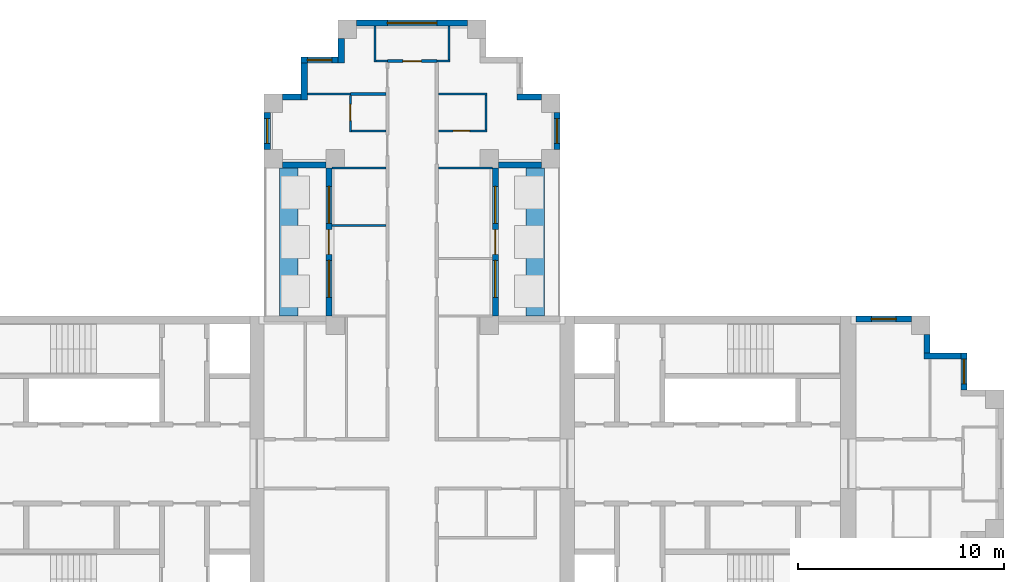
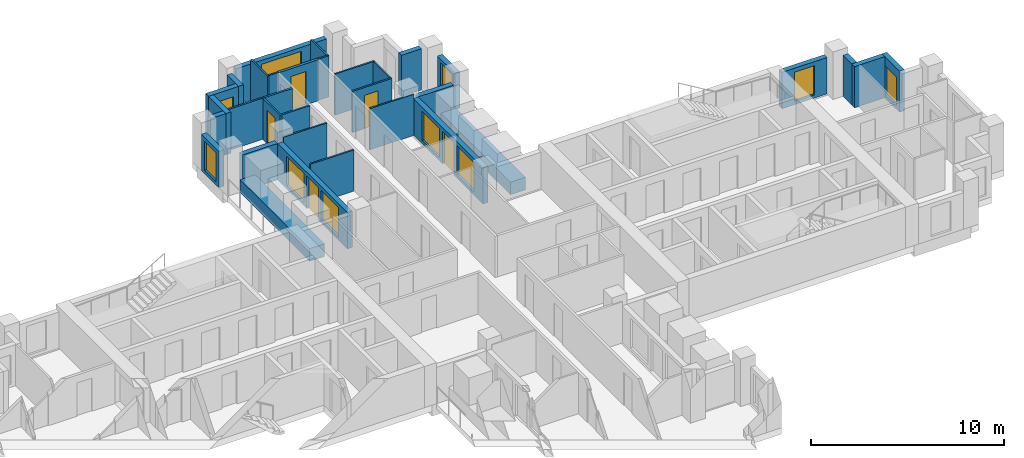
# One storey, part 7 of 10: 33 walls, 10 windows, 5 doors, 15 openings.
"""IFC4 building model written with IfcOpenShell, lengths in metres."""

from ifc_helpers import new_model, si_unit, direction, frame, frame_2d, origin, place, context, subcontext, project, spatial, rectangle, extrude, material, layer, layer_set, type_object, element, fill, save


model = new_model("IFC4")

# Units and contexts
model_context = context("Model", 3, precision=1e-05, world=origin(), true_north=direction((0.0, 1.0)))
body_context = subcontext(model_context, "Body", "Model", "MODEL_VIEW")
ifc_project = project(units=[si_unit("LENGTHUNIT", "METRE"), si_unit("AREAUNIT", "SQUARE_METRE"), si_unit("VOLUMEUNIT", "CUBIC_METRE"), si_unit("PLANEANGLEUNIT", "RADIAN"), si_unit("MASSUNIT", "GRAM", prefix="KILO")], contexts=[model_context])

# Site, building, storey
site_placement = place(None, origin())
site = spatial("IfcSite", under=ifc_project, at=site_placement, CompositionType="ELEMENT")
building_placement = place(site_placement, origin())
building = spatial("IfcBuilding", under=site, at=building_placement, Name="Fustian Cross Tower", CompositionType="ELEMENT")
storey_placement = place(building_placement, frame((0.0, 0.0, 213.89990234375)))
storey = spatial("IfcBuildingStorey", under=building, at=storey_placement, Name="L67", CompositionType="ELEMENT", Elevation=213.89990234375)

# Wall, opening, door
ifc_material_1 = material(Name="Plasterboard on steel stud", Category="steel")
ifc_layer_1 = layer(ifc_material_1, 0.14990234375)
ifc_layer_set_1 = layer_set([ifc_layer_1], Name="Plasterboard on steel stud")
wall_type_1 = type_object("IfcWallType", Name="COMPARTMENT WALL 150 EI 60", PredefinedType="PARTITIONING", material=ifc_layer_set_1)
wall_1_placement = place(storey_placement, frame((-1.199951171875, 19.60009765625, 0.0), z_axis=(0.0, 0.0, 1.0), x_axis=(1.0, 0.0, 0.0)))
wall_1 = element("IfcWall", 1, at=wall_1_placement, inside=storey, type_object=wall_type_1, Name="Partition 31", PredefinedType="PARTITIONING", context=body_context, shape_type="SweptSolid", body=[
    extrude(rectangle(XDim=2.39990234375, YDim=0.14990234375, at=frame_2d((1.199951171875, 0.0))), origin(), (0.0, 0.0, 1.0), 2.60009765625),
])
opening_1_placement = place(wall_1_placement, frame((0.75, 0.0, 0.0)))
opening_1 = element("IfcOpeningElement", 2, at=opening_1_placement, cuts=wall_1, Name="Opening D30015", PredefinedType="OPENING", context=body_context, shape_type="SweptSolid", body=[
    extrude(rectangle(XDim=0.89990234375, YDim=2.10009765625, at=frame_2d((0.449951171875, 1.050048828125))), frame((0.0, 0.0849609375, 0.0), z_axis=(0.0, -1.0, 0.0), x_axis=(1.0, 0.0, 0.0)), (0.0, 0.0, 1.0), 0.169921875),
])
ifc_material_2 = material(Name="Timber fire door set", Category="wood")
door_type_1 = type_object("IfcDoorType", Name="FIRE SWING DOOR 900 FD30S", OperationType="SINGLE_SWING_LEFT", PredefinedType="DOOR", material=ifc_material_2)
door_1_placement = place(opening_1_placement, origin())
door_1 = element("IfcDoor", 3, at=door_1_placement, inside=storey, type_object=door_type_1, Name="Door D30015", OperationType="SINGLE_SWING_LEFT", OverallHeight=2.10009765625, OverallWidth=0.89990234375, PredefinedType="DOOR", context=body_context, shape_type="SweptSolid", body=[
    extrude(rectangle(XDim=0.89990234375, YDim=2.10009765625, at=frame_2d((0.449951171875, 1.050048828125))), frame((0.0, 0.02490234375, 0.0), z_axis=(0.0, -1.0, 0.0), x_axis=(1.0, 0.0, 0.0)), (0.0, 0.0, 1.0), 0.050048828125),
])
fill(opening_1, door_1)

# Walls
ifc_material_3 = material(Name="Plasterboard on steel stud", Category="steel")
ifc_layer_2 = layer(ifc_material_3, 0.10009765625)
ifc_layer_set_2 = layer_set([ifc_layer_2], Name="Plasterboard on steel stud")
wall_type_2 = type_object("IfcWallType", Name="PARTITION 100 STUD", PredefinedType="PARTITIONING", material=ifc_layer_set_2)
wall_2_placement = place(storey_placement, frame((-5.10009765625, 18.0, 0.0), z_axis=(0.0, 0.0, 1.0), x_axis=(1.0, 0.0, 0.0)))
element("IfcWall", 4, at=wall_2_placement, inside=storey, type_object=wall_type_2, Name="Partition 13", PredefinedType="PARTITIONING", context=body_context, shape_type="SweptSolid", body=[
    extrude(rectangle(XDim=2.10009765625, YDim=0.10009765625, at=frame_2d((1.050048828125, 0.0))), origin(), (0.0, 0.0, 1.0), 2.60009765625),
])
for number, where, z_axis, x_axis, name in (
    (5, (-3.89990234375, 11.60009765625, 0.0), (0.0, 0.0, 1.0), (1.0, 0.0, 0.0), "Partition 18"),
    (6, (-3.89990234375, 14.39990234375, 0.0), (0.0, 0.0, 1.0), (1.0, 0.0, 0.0), "Partition 19"),
):
    element("IfcWall", number, at=place(storey_placement, frame(where, z_axis=z_axis, x_axis=x_axis)), inside=storey, type_object=wall_type_2, Name=name, PredefinedType="PARTITIONING", context=body_context, shape_type="SweptSolid", body=[
        extrude(rectangle(XDim=2.625, YDim=0.10009765625, at=frame_2d((1.3125, 0.0))), origin(), (0.0, 0.0, 1.0), 2.60009765625),
    ])

# Wall, opening, door
wall_3_placement = place(storey_placement, frame((-3.0, 16.14990234375, 0.0), z_axis=(0.0, 0.0, 1.0), x_axis=(0.0, 1.0, 0.0)))
wall_3 = element("IfcWall", 7, at=wall_3_placement, inside=storey, type_object=wall_type_2, Name="Partition 21", PredefinedType="PARTITIONING", context=body_context, shape_type="SweptSolid", body=[
    extrude(rectangle(XDim=1.78759765625, YDim=0.10009765625, at=frame_2d((0.893798828125, 0.0))), origin(), (0.0, 0.0, 1.0), 2.60009765625),
])
opening_2_placement = place(wall_3_placement, frame((0.550048828125, 0.0, 0.0)))
opening_2 = element("IfcOpeningElement", 8, at=opening_2_placement, cuts=wall_3, Name="Opening D30018", PredefinedType="OPENING", context=body_context, shape_type="SweptSolid", body=[
    extrude(rectangle(XDim=0.800048828125, YDim=2.10009765625, at=frame_2d((0.39990234375, 1.050048828125))), frame((0.0, 0.06005859375, 0.0), z_axis=(0.0, -1.0, 0.0), x_axis=(1.0, 0.0, 0.0)), (0.0, 0.0, 1.0), 0.1201171875),
])
ifc_material_4 = material(Name="Painted timber", Category="wood")
door_type_2 = type_object("IfcDoorType", Name="SWING DOOR 800", OperationType="SINGLE_SWING_LEFT", PredefinedType="DOOR", material=ifc_material_4)
door_2_placement = place(opening_2_placement, frame((0.800048828125, 0.0, 0.0), z_axis=(0.0, 0.0, 1.0), x_axis=(-1.0, 0.0, 0.0)))
door_2 = element("IfcDoor", 9, at=door_2_placement, inside=storey, type_object=door_type_2, Name="Door D30018", OperationType="SINGLE_SWING_LEFT", OverallHeight=2.10009765625, OverallWidth=0.800048828125, PredefinedType="DOOR", context=body_context, shape_type="SweptSolid", body=[
    extrude(rectangle(XDim=0.800048828125, YDim=2.10009765625, at=frame_2d((0.39990234375, 1.050048828125))), frame((0.0, 0.02490234375, 0.0), z_axis=(0.0, -1.0, 0.0), x_axis=(1.0, 0.0, 0.0)), (0.0, 0.0, 1.0), 0.050048828125),
])
fill(opening_2, door_2)

# Walls
wall_4_placement = place(storey_placement, frame((-2.949951171875, 16.199951171875, 0.0), z_axis=(0.0, 0.0, 1.0), x_axis=(1.0, 0.0, 0.0)))
element("IfcWall", 10, at=wall_4_placement, inside=storey, type_object=wall_type_2, Name="Partition 22", PredefinedType="PARTITIONING", context=body_context, shape_type="SweptSolid", body=[
    extrude(rectangle(XDim=1.675048828125, YDim=0.10009765625, at=frame_2d((0.83740234375, 0.0))), origin(), (0.0, 0.0, 1.0), 2.60009765625),
])
wall_5_placement = place(storey_placement, frame((-1.800048828125, 19.550048828125, 0.0), z_axis=(0.0, 0.0, 1.0), x_axis=(0.0, 1.0, 0.0)))
element("IfcWall", 11, at=wall_5_placement, inside=storey, type_object=wall_type_2, Name="Partition 26", PredefinedType="PARTITIONING", context=body_context, shape_type="SweptSolid", body=[
    extrude(rectangle(XDim=1.75, YDim=0.10009765625, at=frame_2d((0.875, 0.0))), origin(), (0.0, 0.0, 1.0), 2.60009765625),
])
wall_6_placement = place(storey_placement, frame((-1.75, 19.60009765625, 0.0), z_axis=(0.0, 0.0, 1.0), x_axis=(1.0, 0.0, 0.0)))
element("IfcWall", 12, at=wall_6_placement, inside=storey, type_object=wall_type_2, Name="Partition 27", PredefinedType="PARTITIONING", context=body_context, shape_type="SweptSolid", body=[
    extrude(rectangle(XDim=0.550048828125, YDim=0.10009765625, at=frame_2d((0.27490234375, 0.0))), origin(), (0.0, 0.0, 1.0), 2.60009765625),
])
wall_7_placement = place(storey_placement, frame((1.27490234375, 14.39990234375, 0.0), z_axis=(0.0, 0.0, 1.0), x_axis=(1.0, 0.0, 0.0)))
element("IfcWall", 13, at=wall_7_placement, inside=storey, type_object=wall_type_2, Name="Partition 42", PredefinedType="PARTITIONING", context=body_context, shape_type="SweptSolid", body=[
    extrude(rectangle(XDim=2.625, YDim=0.10009765625, at=frame_2d((1.3125, 0.0))), origin(), (0.0, 0.0, 1.0), 2.60009765625),
])

# Wall, opening, door
wall_8_placement = place(storey_placement, frame((1.27490234375, 16.199951171875, 0.0), z_axis=(0.0, 0.0, 1.0), x_axis=(1.0, 0.0, 0.0)))
wall_8 = element("IfcWall", 14, at=wall_8_placement, inside=storey, type_object=wall_type_2, Name="Partition 43", PredefinedType="PARTITIONING", context=body_context, shape_type="SweptSolid", body=[
    extrude(rectangle(XDim=2.375, YDim=0.10009765625, at=frame_2d((1.1875, 0.0))), origin(), (0.0, 0.0, 1.0), 2.60009765625),
])
opening_3_placement = place(wall_8_placement, frame((0.72509765625, 0.0, 0.0)))
opening_3 = element("IfcOpeningElement", 15, at=opening_3_placement, cuts=wall_8, Name="Opening D30023", PredefinedType="OPENING", context=body_context, shape_type="SweptSolid", body=[
    extrude(rectangle(XDim=0.800048828125, YDim=2.10009765625, at=frame_2d((0.39990234375, 1.050048828125))), frame((0.0, 0.06005859375, 0.0), z_axis=(0.0, -1.0, 0.0), x_axis=(1.0, 0.0, 0.0)), (0.0, 0.0, 1.0), 0.1201171875),
])
door_3_placement = place(opening_3_placement, origin())
door_3 = element("IfcDoor", 16, at=door_3_placement, inside=storey, type_object=door_type_2, Name="Door D30023", OperationType="SINGLE_SWING_LEFT", OverallHeight=2.10009765625, OverallWidth=0.800048828125, PredefinedType="DOOR", context=body_context, shape_type="SweptSolid", body=[
    extrude(rectangle(XDim=0.800048828125, YDim=2.10009765625, at=frame_2d((0.39990234375, 1.050048828125))), frame((0.0, 0.02490234375, 0.0), z_axis=(0.0, -1.0, 0.0), x_axis=(1.0, 0.0, 0.0)), (0.0, 0.0, 1.0), 0.050048828125),
])
fill(opening_3, door_3)

# Walls
wall_9_placement = place(storey_placement, frame((1.27490234375, 18.0, 0.0), z_axis=(0.0, 0.0, 1.0), x_axis=(1.0, 0.0, 0.0)))
element("IfcWall", 17, at=wall_9_placement, inside=storey, type_object=wall_type_2, Name="Partition 44", PredefinedType="PARTITIONING", context=body_context, shape_type="SweptSolid", body=[
    extrude(rectangle(XDim=2.375, YDim=0.10009765625, at=frame_2d((1.1875, 0.0))), origin(), (0.0, 0.0, 1.0), 2.60009765625),
])
wall_10_placement = place(storey_placement, frame((1.199951171875, 19.60009765625, 0.0), z_axis=(0.0, 0.0, 1.0), x_axis=(1.0, 0.0, 0.0)))
element("IfcWall", 18, at=wall_10_placement, inside=storey, type_object=wall_type_2, Name="Partition 45", PredefinedType="PARTITIONING", context=body_context, shape_type="SweptSolid", body=[
    extrude(rectangle(XDim=0.650146484375, YDim=0.10009765625, at=frame_2d((0.3251953125, 0.0))), origin(), (0.0, 0.0, 1.0), 2.60009765625),
])
wall_11_placement = place(storey_placement, frame((1.800048828125, 19.64990234375, 0.0), z_axis=(0.0, 0.0, 1.0), x_axis=(0.0, 1.0, 0.0)))
element("IfcWall", 19, at=wall_11_placement, inside=storey, type_object=wall_type_2, Name="Partition 47", PredefinedType="PARTITIONING", context=body_context, shape_type="SweptSolid", body=[
    extrude(rectangle(XDim=1.650146484375, YDim=0.10009765625, at=frame_2d((0.8251953125, 0.0))), origin(), (0.0, 0.0, 1.0), 2.60009765625),
])
wall_12_placement = place(storey_placement, frame((3.60009765625, 16.25, 0.0), z_axis=(0.0, 0.0, 1.0), x_axis=(0.0, 1.0, 0.0)))
element("IfcWall", 20, at=wall_12_placement, inside=storey, type_object=wall_type_2, Name="Partition 50", PredefinedType="PARTITIONING", context=body_context, shape_type="SweptSolid", body=[
    extrude(rectangle(XDim=1.699951171875, YDim=0.10009765625, at=frame_2d((0.85009765625, 0.0))), origin(), (0.0, 0.0, 1.0), 2.60009765625),
])
ifc_material_5 = material(Name="Concrete C40/50", Category="concrete")
ifc_layer_3 = layer(ifc_material_5, 0.89990234375)
ifc_layer_set_3 = layer_set([ifc_layer_3], Name="Concrete C40/50")
wall_type_3 = type_object("IfcWallType", Name="PK1 PLANTER 900", PredefinedType="PARAPET", material=ifc_layer_set_3)
for number, where, z_axis, x_axis, name in (
    (21, (6.0, 7.199951171875, 0.0), (0.0, 0.0, 1.0), (0.0, 1.0, 0.0), "PLANTER"),
    (22, (-6.0, 7.199951171875, 0.0), (0.0, 0.0, 1.0), (0.0, 1.0, 0.0), "PLANTER"),
):
    element("IfcWall", number, at=place(storey_placement, frame(where, z_axis=z_axis, x_axis=x_axis)), inside=storey, type_object=wall_type_3, Name=name, PredefinedType="PARAPET", context=body_context, shape_type="SweptSolid", body=[
        extrude(rectangle(XDim=7.199951171875, YDim=0.89990234375, at=frame_2d((3.60009765625, 0.0))), origin(), (0.0, 0.0, 1.0), 0.800048828125),
    ])
ifc_material_6 = material(Name="Plasterboard on steel stud", Category="steel")
ifc_layer_4 = layer(ifc_material_6, 0.125)
ifc_layer_set_4 = layer_set([ifc_layer_4], Name="Plasterboard on steel stud")
wall_type_4 = type_object("IfcWallType", Name="WET WALL 125 STUD", PredefinedType="PARTITIONING", material=ifc_layer_set_4)
wall_13_placement = place(storey_placement, frame((-3.0, 18.0, 0.0), z_axis=(0.0, 0.0, 1.0), x_axis=(1.0, 0.0, 0.0)))
element("IfcWall", 23, at=wall_13_placement, inside=storey, type_object=wall_type_4, Name="Partition 23", PredefinedType="PARTITIONING", context=body_context, shape_type="SweptSolid", body=[
    extrude(rectangle(XDim=1.72509765625, YDim=0.125, at=frame_2d((0.862548828125, 0.0))), origin(), (0.0, 0.0, 1.0), 2.60009765625),
])

# Wall, opening, window
ifc_material_7 = material(Name="Dark aluminium cladding on insulated backing wall", Category="aluminium")
ifc_layer_5 = layer(ifc_material_7, 0.300048828125)
ifc_layer_set_5 = layer_set([ifc_layer_5], Name="Dark aluminium cladding on insulated backing wall")
wall_type_5 = type_object("IfcWallType", Name="XW1 EXTERNAL WALL 300", PredefinedType="SOLIDWALL", material=ifc_layer_set_5)
wall_14_placement = place(storey_placement, frame((26.85009765625, 3.60009765625, 0.0), z_axis=(0.0, 0.0, 1.0), x_axis=(0.0, 1.0, 0.0)))
wall_14 = element("IfcWall", 24, at=wall_14_placement, inside=storey, type_object=wall_type_5, Name="External wall", PredefinedType="SOLIDWALL", context=body_context, shape_type="SweptSolid", body=[
    extrude(rectangle(XDim=1.7998046875, YDim=0.300048828125, at=frame_2d((0.89990234375, 0.0))), origin(), (0.0, 0.0, 1.0), 2.60009765625),
])
opening_4_placement = place(wall_14_placement, frame((0.300048828125, 0.0, 0.199951171875)))
opening_4 = element("IfcOpeningElement", 25, at=opening_4_placement, cuts=wall_14, Name="Opening WN3", PredefinedType="OPENING", context=body_context, shape_type="SweptSolid", body=[
    extrude(rectangle(XDim=1.199951171875, YDim=1.85009765625, at=frame_2d((0.60009765625, 0.925048828125))), frame((0.0, 0.159912109375, 0.0), z_axis=(0.0, -1.0, 0.0), x_axis=(1.0, 0.0, 0.0)), (0.0, 0.0, 1.0), 0.320068359375),
])
ifc_material_8 = material(Name="Dark anodised aluminium and double glazing", Category="aluminium")
window_type_1 = type_object("IfcWindowType", Name="WN3 WINDOW 1200X1850", PartitioningType="SINGLE_PANEL", PredefinedType="WINDOW", material=ifc_material_8)
window_1_placement = place(opening_4_placement, origin())
window_1 = element("IfcWindow", 26, at=window_1_placement, inside=storey, type_object=window_type_1, Name="Window", OverallHeight=1.85009765625, OverallWidth=1.199951171875, PartitioningType="SINGLE_PANEL", PredefinedType="WINDOW", context=body_context, shape_type="SweptSolid", body=[
    extrude(rectangle(XDim=1.199951171875, YDim=1.85009765625, at=frame_2d((0.60009765625, 0.925048828125))), frame((0.0, 0.030029296875, 0.0), z_axis=(0.0, -1.0, 0.0), x_axis=(1.0, 0.0, 0.0)), (0.0, 0.0, 1.0), 0.06005859375),
])
fill(opening_4, window_1)

# Walls
wall_15_placement = place(storey_placement, frame((26.699951171875, 5.25, 0.0), z_axis=(0.0, 0.0, 1.0), x_axis=(-1.0, 0.0, 0.0)))
element("IfcWall", 27, at=wall_15_placement, inside=storey, type_object=wall_type_5, Name="External wall", PredefinedType="SOLIDWALL", context=body_context, shape_type="SweptSolid", body=[
    extrude(rectangle(XDim=1.800048828125, YDim=0.300048828125, at=frame_2d((0.89990234375, 0.0))), origin(), (0.0, 0.0, 1.0), 2.60009765625),
])
wall_16_placement = place(storey_placement, frame((25.050048828125, 5.39990234375, 0.0), z_axis=(0.0, 0.0, 1.0), x_axis=(0.0, 1.0, 0.0)))
element("IfcWall", 28, at=wall_16_placement, inside=storey, type_object=wall_type_5, Name="External wall", PredefinedType="SOLIDWALL", context=body_context, shape_type="SweptSolid", body=[
    extrude(rectangle(XDim=0.900146484375, YDim=0.300048828125, at=frame_2d((0.4501953125, 0.0))), origin(), (0.0, 0.0, 1.0), 2.60009765625),
])

# Wall, opening, window
wall_17_placement = place(storey_placement, frame((24.300048828125, 7.050048828125, 0.0), z_axis=(0.0, 0.0, 1.0), x_axis=(-1.0, 0.0, 0.0)))
wall_17 = element("IfcWall", 29, at=wall_17_placement, inside=storey, type_object=wall_type_5, Name="External wall", PredefinedType="SOLIDWALL", context=body_context, shape_type="SweptSolid", body=[
    extrude(rectangle(XDim=2.699951171875, YDim=0.300048828125, at=frame_2d((1.35009765625, 0.0))), origin(), (0.0, 0.0, 1.0), 2.300048828125),
])
opening_5_placement = place(wall_17_placement, frame((0.75, 0.0, 0.199951171875)))
opening_5 = element("IfcOpeningElement", 30, at=opening_5_placement, cuts=wall_17, Name="Opening WN3", PredefinedType="OPENING", context=body_context, shape_type="SweptSolid", body=[
    extrude(rectangle(XDim=1.199951171875, YDim=1.85009765625, at=frame_2d((0.60009765625, 0.925048828125))), frame((0.0, 0.159912109375, 0.0), z_axis=(0.0, -1.0, 0.0), x_axis=(1.0, 0.0, 0.0)), (0.0, 0.0, 1.0), 0.320068359375),
])
window_2_placement = place(opening_5_placement, origin())
window_2 = element("IfcWindow", 31, at=window_2_placement, inside=storey, type_object=window_type_1, Name="Window", OverallHeight=1.85009765625, OverallWidth=1.199951171875, PartitioningType="SINGLE_PANEL", PredefinedType="WINDOW", context=body_context, shape_type="SweptSolid", body=[
    extrude(rectangle(XDim=1.199951171875, YDim=1.85009765625, at=frame_2d((0.60009765625, 0.925048828125))), frame((0.0, 0.030029296875, 0.0), z_axis=(0.0, -1.0, 0.0), x_axis=(1.0, 0.0, 0.0)), (0.0, 0.0, 1.0), 0.06005859375),
])
fill(opening_5, window_2)

# Wall, openings, door, windows
wall_18_placement = place(storey_placement, frame((4.050048828125, 7.199951171875, 0.0), z_axis=(0.0, 0.0, 1.0), x_axis=(0.0, 1.0, 0.0)))
wall_18 = element("IfcWall", 32, at=wall_18_placement, inside=storey, type_object=wall_type_5, Name="External wall", PredefinedType="SOLIDWALL", context=body_context, shape_type="SweptSolid", body=[
    extrude(rectangle(XDim=7.199951171875, YDim=0.300048828125, at=frame_2d((3.60009765625, 0.0))), origin(), (0.0, 0.0, 1.0), 2.300048828125),
])
opening_6_placement = place(wall_18_placement, frame((3.0, 0.0, 0.0)))
opening_6 = element("IfcOpeningElement", 33, at=opening_6_placement, cuts=wall_18, Name="Opening XD1", PredefinedType="OPENING", context=body_context, shape_type="SweptSolid", body=[
    extrude(rectangle(XDim=1.199951171875, YDim=2.050048828125, at=frame_2d((0.60009765625, 1.02490234375))), frame((0.0, 0.159912109375, 0.0), z_axis=(0.0, -1.0, 0.0), x_axis=(1.0, 0.0, 0.0)), (0.0, 0.0, 1.0), 0.320068359375),
])
opening_7_placement = place(wall_18_placement, frame((0.89990234375, 0.0, 0.199951171875)))
opening_7 = element("IfcOpeningElement", 34, at=opening_7_placement, cuts=wall_18, Name="Opening WN2", PredefinedType="OPENING", context=body_context, shape_type="SweptSolid", body=[
    extrude(rectangle(XDim=1.800048828125, YDim=1.85009765625, at=frame_2d((0.89990234375, 0.925048828125))), frame((0.0, 0.159912109375, 0.0), z_axis=(0.0, -1.0, 0.0), x_axis=(1.0, 0.0, 0.0)), (0.0, 0.0, 1.0), 0.320068359375),
])
opening_8_placement = place(wall_18_placement, frame((4.5, 0.0, 0.199951171875)))
opening_8 = element("IfcOpeningElement", 35, at=opening_8_placement, cuts=wall_18, Name="Opening WN2", PredefinedType="OPENING", context=body_context, shape_type="SweptSolid", body=[
    extrude(rectangle(XDim=1.800048828125, YDim=1.85009765625, at=frame_2d((0.89990234375, 0.925048828125))), frame((0.0, 0.159912109375, 0.0), z_axis=(0.0, -1.0, 0.0), x_axis=(1.0, 0.0, 0.0)), (0.0, 0.0, 1.0), 0.320068359375),
])
ifc_material_9 = material(Name="Dark anodised aluminium and double glazing", Category="aluminium")
door_type_3 = type_object("IfcDoorType", Name="ED1 BALCONY DOOR 1200X2050", OperationType="SINGLE_SWING_LEFT", PredefinedType="DOOR", material=ifc_material_9)
door_4_placement = place(opening_6_placement, origin())
door_4 = element("IfcDoor", 36, at=door_4_placement, inside=storey, type_object=door_type_3, Name="Balcony door", OperationType="SINGLE_SWING_LEFT", OverallHeight=2.050048828125, OverallWidth=1.199951171875, PredefinedType="DOOR", context=body_context, shape_type="SweptSolid", body=[
    extrude(rectangle(XDim=1.199951171875, YDim=2.050048828125, at=frame_2d((0.60009765625, 1.02490234375))), frame((0.0, 0.02490234375, 0.0), z_axis=(0.0, -1.0, 0.0), x_axis=(1.0, 0.0, 0.0)), (0.0, 0.0, 1.0), 0.050048828125),
])
fill(opening_6, door_4)
ifc_material_10 = material(Name="Dark anodised aluminium and double glazing", Category="aluminium")
window_type_2 = type_object("IfcWindowType", Name="WN2 WINDOW 1800X1850", PartitioningType="SINGLE_PANEL", PredefinedType="WINDOW", material=ifc_material_10)
window_3_placement = place(opening_7_placement, origin())
window_3 = element("IfcWindow", 37, at=window_3_placement, inside=storey, type_object=window_type_2, Name="Window", OverallHeight=1.85009765625, OverallWidth=1.800048828125, PartitioningType="SINGLE_PANEL", PredefinedType="WINDOW", context=body_context, shape_type="SweptSolid", body=[
    extrude(rectangle(XDim=1.800048828125, YDim=1.85009765625, at=frame_2d((0.89990234375, 0.925048828125))), frame((0.0, 0.030029296875, 0.0), z_axis=(0.0, -1.0, 0.0), x_axis=(1.0, 0.0, 0.0)), (0.0, 0.0, 1.0), 0.06005859375),
])
fill(opening_7, window_3)
window_4_placement = place(opening_8_placement, origin())
window_4 = element("IfcWindow", 38, at=window_4_placement, inside=storey, type_object=window_type_2, Name="Window", OverallHeight=1.85009765625, OverallWidth=1.800048828125, PartitioningType="SINGLE_PANEL", PredefinedType="WINDOW", context=body_context, shape_type="SweptSolid", body=[
    extrude(rectangle(XDim=1.800048828125, YDim=1.85009765625, at=frame_2d((0.89990234375, 0.925048828125))), frame((0.0, 0.030029296875, 0.0), z_axis=(0.0, -1.0, 0.0), x_axis=(1.0, 0.0, 0.0)), (0.0, 0.0, 1.0), 0.06005859375),
])
fill(opening_8, window_4)

# Wall
wall_19_placement = place(storey_placement, frame((4.199951171875, 14.550048828125, 0.0), z_axis=(0.0, 0.0, 1.0), x_axis=(1.0, 0.0, 0.0)))
element("IfcWall", 39, at=wall_19_placement, inside=storey, type_object=wall_type_5, Name="External wall", PredefinedType="SOLIDWALL", context=body_context, shape_type="SweptSolid", body=[
    extrude(rectangle(XDim=2.10009765625, YDim=0.300048828125, at=frame_2d((1.050048828125, 0.0))), origin(), (0.0, 0.0, 1.0), 2.300048828125),
])

# Wall, opening, window
wall_20_placement = place(storey_placement, frame((7.050048828125, 15.300048828125, 0.0), z_axis=(0.0, 0.0, 1.0), x_axis=(0.0, 1.0, 0.0)))
wall_20 = element("IfcWall", 40, at=wall_20_placement, inside=storey, type_object=wall_type_5, Name="External wall", PredefinedType="SOLIDWALL", context=body_context, shape_type="SweptSolid", body=[
    extrude(rectangle(XDim=1.800048828125, YDim=0.300048828125, at=frame_2d((0.89990234375, 0.0))), origin(), (0.0, 0.0, 1.0), 2.300048828125),
])
opening_9_placement = place(wall_20_placement, frame((0.300048828125, 0.0, 0.199951171875)))
opening_9 = element("IfcOpeningElement", 41, at=opening_9_placement, cuts=wall_20, Name="Opening WN3", PredefinedType="OPENING", context=body_context, shape_type="SweptSolid", body=[
    extrude(rectangle(XDim=1.199951171875, YDim=1.85009765625, at=frame_2d((0.60009765625, 0.925048828125))), frame((0.0, 0.159912109375, 0.0), z_axis=(0.0, -1.0, 0.0), x_axis=(1.0, 0.0, 0.0)), (0.0, 0.0, 1.0), 0.320068359375),
])
window_5_placement = place(opening_9_placement, origin())
window_5 = element("IfcWindow", 42, at=window_5_placement, inside=storey, type_object=window_type_1, Name="Window", OverallHeight=1.85009765625, OverallWidth=1.199951171875, PartitioningType="SINGLE_PANEL", PredefinedType="WINDOW", context=body_context, shape_type="SweptSolid", body=[
    extrude(rectangle(XDim=1.199951171875, YDim=1.85009765625, at=frame_2d((0.60009765625, 0.925048828125))), frame((0.0, 0.030029296875, 0.0), z_axis=(0.0, -1.0, 0.0), x_axis=(1.0, 0.0, 0.0)), (0.0, 0.0, 1.0), 0.06005859375),
])
fill(opening_9, window_5)

# Wall
wall_21_placement = place(storey_placement, frame((6.300048828125, 17.85009765625, 0.0), z_axis=(0.0, 0.0, 1.0), x_axis=(-1.0, 0.0, 0.0)))
element("IfcWall", 43, at=wall_21_placement, inside=storey, type_object=wall_type_5, Name="External wall", PredefinedType="SOLIDWALL", context=body_context, shape_type="SweptSolid", body=[
    extrude(rectangle(XDim=1.199951171875, YDim=0.300048828125, at=frame_2d((0.60009765625, 0.0))), origin(), (0.0, 0.0, 1.0), 2.60009765625),
])

# Wall, opening, window
wall_22_placement = place(storey_placement, frame((2.699951171875, 21.449951171875, 0.0), z_axis=(0.0, 0.0, 1.0), x_axis=(-1.0, 0.0, 0.0)))
wall_22 = element("IfcWall", 44, at=wall_22_placement, inside=storey, type_object=wall_type_5, Name="External wall", PredefinedType="SOLIDWALL", context=body_context, shape_type="SweptSolid", body=[
    extrude(rectangle(XDim=5.39990234375, YDim=0.300048828125, at=frame_2d((2.699951171875, 0.0))), origin(), (0.0, 0.0, 1.0), 2.300048828125),
])
opening_10_placement = place(wall_22_placement, frame((1.5, 0.0, 0.199951171875)))
opening_10 = element("IfcOpeningElement", 45, at=opening_10_placement, cuts=wall_22, Name="Opening WN1", PredefinedType="OPENING", context=body_context, shape_type="SweptSolid", body=[
    extrude(rectangle(XDim=2.39990234375, YDim=1.85009765625, at=frame_2d((1.199951171875, 0.925048828125))), frame((0.0, 0.159912109375, 0.0), z_axis=(0.0, -1.0, 0.0), x_axis=(1.0, 0.0, 0.0)), (0.0, 0.0, 1.0), 0.320068359375),
])
ifc_material_11 = material(Name="Dark anodised aluminium and double glazing", Category="aluminium")
window_type_3 = type_object("IfcWindowType", Name="WN1 WINDOW 2400X1850", PartitioningType="SINGLE_PANEL", PredefinedType="WINDOW", material=ifc_material_11)
window_6_placement = place(opening_10_placement, origin())
window_6 = element("IfcWindow", 46, at=window_6_placement, inside=storey, type_object=window_type_3, Name="Window", OverallHeight=1.85009765625, OverallWidth=2.39990234375, PartitioningType="SINGLE_PANEL", PredefinedType="WINDOW", context=body_context, shape_type="SweptSolid", body=[
    extrude(rectangle(XDim=2.39990234375, YDim=1.85009765625, at=frame_2d((1.199951171875, 0.925048828125))), frame((0.0, 0.030029296875, 0.0), z_axis=(0.0, -1.0, 0.0), x_axis=(1.0, 0.0, 0.0)), (0.0, 0.0, 1.0), 0.06005859375),
])
fill(opening_10, window_6)

# Wall
wall_23_placement = place(storey_placement, frame((-3.449951171875, 20.699951171875, 0.0), z_axis=(0.0, 0.0, 1.0), x_axis=(0.0, -1.0, 0.0)))
element("IfcWall", 47, at=wall_23_placement, inside=storey, type_object=wall_type_5, Name="External wall", PredefinedType="SOLIDWALL", context=body_context, shape_type="SweptSolid", body=[
    extrude(rectangle(XDim=1.199951171875, YDim=0.300048828125, at=frame_2d((0.60009765625, 0.0))), origin(), (0.0, 0.0, 1.0), 2.60009765625),
])

# Wall, opening, window
wall_24_placement = place(storey_placement, frame((-3.60009765625, 19.64990234375, 0.0), z_axis=(0.0, 0.0, 1.0), x_axis=(-1.0, 0.0, 0.0)))
wall_24 = element("IfcWall", 48, at=wall_24_placement, inside=storey, type_object=wall_type_5, Name="External wall", PredefinedType="SOLIDWALL", context=body_context, shape_type="SweptSolid", body=[
    extrude(rectangle(XDim=1.7998046875, YDim=0.300048828125, at=frame_2d((0.89990234375, 0.0))), origin(), (0.0, 0.0, 1.0), 2.60009765625),
])
opening_11_placement = place(wall_24_placement, frame((0.300048828125, 0.0, 0.199951171875)))
opening_11 = element("IfcOpeningElement", 49, at=opening_11_placement, cuts=wall_24, Name="Opening WN3", PredefinedType="OPENING", context=body_context, shape_type="SweptSolid", body=[
    extrude(rectangle(XDim=1.199951171875, YDim=1.85009765625, at=frame_2d((0.60009765625, 0.925048828125))), frame((0.0, 0.159912109375, 0.0), z_axis=(0.0, -1.0, 0.0), x_axis=(1.0, 0.0, 0.0)), (0.0, 0.0, 1.0), 0.320068359375),
])
window_7_placement = place(opening_11_placement, origin())
window_7 = element("IfcWindow", 50, at=window_7_placement, inside=storey, type_object=window_type_1, Name="Window", OverallHeight=1.85009765625, OverallWidth=1.199951171875, PartitioningType="SINGLE_PANEL", PredefinedType="WINDOW", context=body_context, shape_type="SweptSolid", body=[
    extrude(rectangle(XDim=1.199951171875, YDim=1.85009765625, at=frame_2d((0.60009765625, 0.925048828125))), frame((0.0, 0.030029296875, 0.0), z_axis=(0.0, -1.0, 0.0), x_axis=(1.0, 0.0, 0.0)), (0.0, 0.0, 1.0), 0.06005859375),
])
fill(opening_11, window_7)

# Walls
wall_25_placement = place(storey_placement, frame((-5.25, 19.5, 0.0), z_axis=(0.0, 0.0, 1.0), x_axis=(0.0, -1.0, 0.0)))
element("IfcWall", 51, at=wall_25_placement, inside=storey, type_object=wall_type_5, Name="External wall", PredefinedType="SOLIDWALL", context=body_context, shape_type="SweptSolid", body=[
    extrude(rectangle(XDim=1.800048828125, YDim=0.300048828125, at=frame_2d((0.89990234375, 0.0))), origin(), (0.0, 0.0, 1.0), 2.60009765625),
])
wall_26_placement = place(storey_placement, frame((-5.39990234375, 17.85009765625, 0.0), z_axis=(0.0, 0.0, 1.0), x_axis=(-1.0, 0.0, 0.0)))
element("IfcWall", 52, at=wall_26_placement, inside=storey, type_object=wall_type_5, Name="External wall", PredefinedType="SOLIDWALL", context=body_context, shape_type="SweptSolid", body=[
    extrude(rectangle(XDim=0.900146484375, YDim=0.300048828125, at=frame_2d((0.4501953125, 0.0))), origin(), (0.0, 0.0, 1.0), 2.60009765625),
])

# Wall, opening, window
wall_27_placement = place(storey_placement, frame((-7.050048828125, 17.10009765625, 0.0), z_axis=(0.0, 0.0, 1.0), x_axis=(0.0, -1.0, 0.0)))
wall_27 = element("IfcWall", 53, at=wall_27_placement, inside=storey, type_object=wall_type_5, Name="External wall", PredefinedType="SOLIDWALL", context=body_context, shape_type="SweptSolid", body=[
    extrude(rectangle(XDim=1.800048828125, YDim=0.300048828125, at=frame_2d((0.89990234375, 0.0))), origin(), (0.0, 0.0, 1.0), 2.300048828125),
])
opening_12_placement = place(wall_27_placement, frame((0.300048828125, 0.0, 0.199951171875)))
opening_12 = element("IfcOpeningElement", 54, at=opening_12_placement, cuts=wall_27, Name="Opening WN3", PredefinedType="OPENING", context=body_context, shape_type="SweptSolid", body=[
    extrude(rectangle(XDim=1.199951171875, YDim=1.85009765625, at=frame_2d((0.60009765625, 0.925048828125))), frame((0.0, 0.159912109375, 0.0), z_axis=(0.0, -1.0, 0.0), x_axis=(1.0, 0.0, 0.0)), (0.0, 0.0, 1.0), 0.320068359375),
])
window_8_placement = place(opening_12_placement, origin())
window_8 = element("IfcWindow", 55, at=window_8_placement, inside=storey, type_object=window_type_1, Name="Window", OverallHeight=1.85009765625, OverallWidth=1.199951171875, PartitioningType="SINGLE_PANEL", PredefinedType="WINDOW", context=body_context, shape_type="SweptSolid", body=[
    extrude(rectangle(XDim=1.199951171875, YDim=1.85009765625, at=frame_2d((0.60009765625, 0.925048828125))), frame((0.0, 0.030029296875, 0.0), z_axis=(0.0, -1.0, 0.0), x_axis=(1.0, 0.0, 0.0)), (0.0, 0.0, 1.0), 0.06005859375),
])
fill(opening_12, window_8)

# Wall
wall_28_placement = place(storey_placement, frame((-6.300048828125, 14.550048828125, 0.0), z_axis=(0.0, 0.0, 1.0), x_axis=(1.0, 0.0, 0.0)))
element("IfcWall", 56, at=wall_28_placement, inside=storey, type_object=wall_type_5, Name="External wall", PredefinedType="SOLIDWALL", context=body_context, shape_type="SweptSolid", body=[
    extrude(rectangle(XDim=2.10009765625, YDim=0.300048828125, at=frame_2d((1.050048828125, 0.0))), origin(), (0.0, 0.0, 1.0), 2.300048828125),
])

# Wall, openings, door, windows
wall_29_placement = place(storey_placement, frame((-4.050048828125, 14.39990234375, 0.0), z_axis=(0.0, 0.0, 1.0), x_axis=(0.0, -1.0, 0.0)))
wall_29 = element("IfcWall", 57, at=wall_29_placement, inside=storey, type_object=wall_type_5, Name="External wall", PredefinedType="SOLIDWALL", context=body_context, shape_type="SweptSolid", body=[
    extrude(rectangle(XDim=7.199951171875, YDim=0.300048828125, at=frame_2d((3.60009765625, 0.0))), origin(), (0.0, 0.0, 1.0), 2.300048828125),
])
opening_13_placement = place(wall_29_placement, frame((3.0, 0.0, 0.0)))
opening_13 = element("IfcOpeningElement", 58, at=opening_13_placement, cuts=wall_29, Name="Opening XD2", PredefinedType="OPENING", context=body_context, shape_type="SweptSolid", body=[
    extrude(rectangle(XDim=1.199951171875, YDim=2.050048828125, at=frame_2d((0.60009765625, 1.02490234375))), frame((0.0, 0.159912109375, 0.0), z_axis=(0.0, -1.0, 0.0), x_axis=(1.0, 0.0, 0.0)), (0.0, 0.0, 1.0), 0.320068359375),
])
opening_14_placement = place(wall_29_placement, frame((0.89990234375, 0.0, 0.199951171875)))
opening_14 = element("IfcOpeningElement", 59, at=opening_14_placement, cuts=wall_29, Name="Opening WN2", PredefinedType="OPENING", context=body_context, shape_type="SweptSolid", body=[
    extrude(rectangle(XDim=1.800048828125, YDim=1.85009765625, at=frame_2d((0.89990234375, 0.925048828125))), frame((0.0, 0.159912109375, 0.0), z_axis=(0.0, -1.0, 0.0), x_axis=(1.0, 0.0, 0.0)), (0.0, 0.0, 1.0), 0.320068359375),
])
opening_15_placement = place(wall_29_placement, frame((4.5, 0.0, 0.199951171875)))
opening_15 = element("IfcOpeningElement", 60, at=opening_15_placement, cuts=wall_29, Name="Opening WN2", PredefinedType="OPENING", context=body_context, shape_type="SweptSolid", body=[
    extrude(rectangle(XDim=1.800048828125, YDim=1.85009765625, at=frame_2d((0.89990234375, 0.925048828125))), frame((0.0, 0.159912109375, 0.0), z_axis=(0.0, -1.0, 0.0), x_axis=(1.0, 0.0, 0.0)), (0.0, 0.0, 1.0), 0.320068359375),
])
door_5_placement = place(opening_13_placement, origin())
door_5 = element("IfcDoor", 61, at=door_5_placement, inside=storey, type_object=door_type_3, Name="Balcony door", OperationType="SINGLE_SWING_LEFT", OverallHeight=2.050048828125, OverallWidth=1.199951171875, PredefinedType="DOOR", context=body_context, shape_type="SweptSolid", body=[
    extrude(rectangle(XDim=1.199951171875, YDim=2.050048828125, at=frame_2d((0.60009765625, 1.02490234375))), frame((0.0, 0.02490234375, 0.0), z_axis=(0.0, -1.0, 0.0), x_axis=(1.0, 0.0, 0.0)), (0.0, 0.0, 1.0), 0.050048828125),
])
fill(opening_13, door_5)
window_9_placement = place(opening_14_placement, origin())
window_9 = element("IfcWindow", 62, at=window_9_placement, inside=storey, type_object=window_type_2, Name="Window", OverallHeight=1.85009765625, OverallWidth=1.800048828125, PartitioningType="SINGLE_PANEL", PredefinedType="WINDOW", context=body_context, shape_type="SweptSolid", body=[
    extrude(rectangle(XDim=1.800048828125, YDim=1.85009765625, at=frame_2d((0.89990234375, 0.925048828125))), frame((0.0, 0.030029296875, 0.0), z_axis=(0.0, -1.0, 0.0), x_axis=(1.0, 0.0, 0.0)), (0.0, 0.0, 1.0), 0.06005859375),
])
fill(opening_14, window_9)
window_10_placement = place(opening_15_placement, origin())
window_10 = element("IfcWindow", 63, at=window_10_placement, inside=storey, type_object=window_type_2, Name="Window", OverallHeight=1.85009765625, OverallWidth=1.800048828125, PartitioningType="SINGLE_PANEL", PredefinedType="WINDOW", context=body_context, shape_type="SweptSolid", body=[
    extrude(rectangle(XDim=1.800048828125, YDim=1.85009765625, at=frame_2d((0.89990234375, 0.925048828125))), frame((0.0, 0.030029296875, 0.0), z_axis=(0.0, -1.0, 0.0), x_axis=(1.0, 0.0, 0.0)), (0.0, 0.0, 1.0), 0.06005859375),
])
fill(opening_15, window_10)

save(model, "model.ifc")
